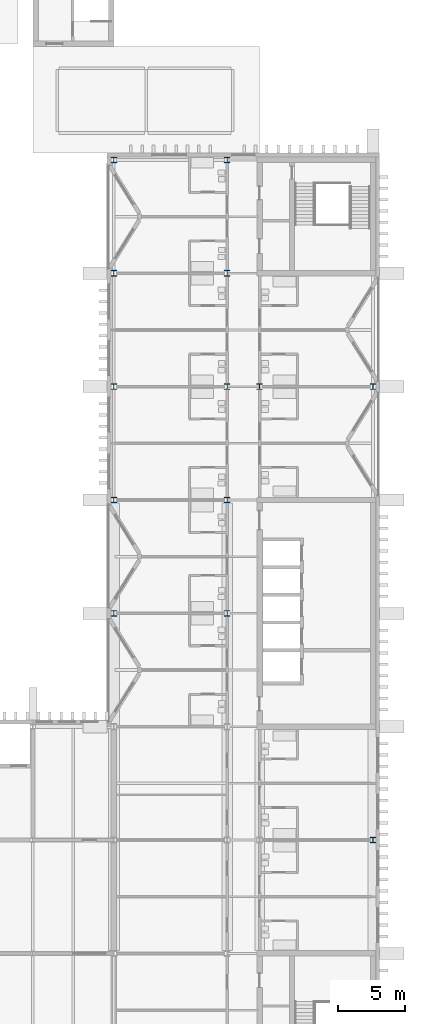
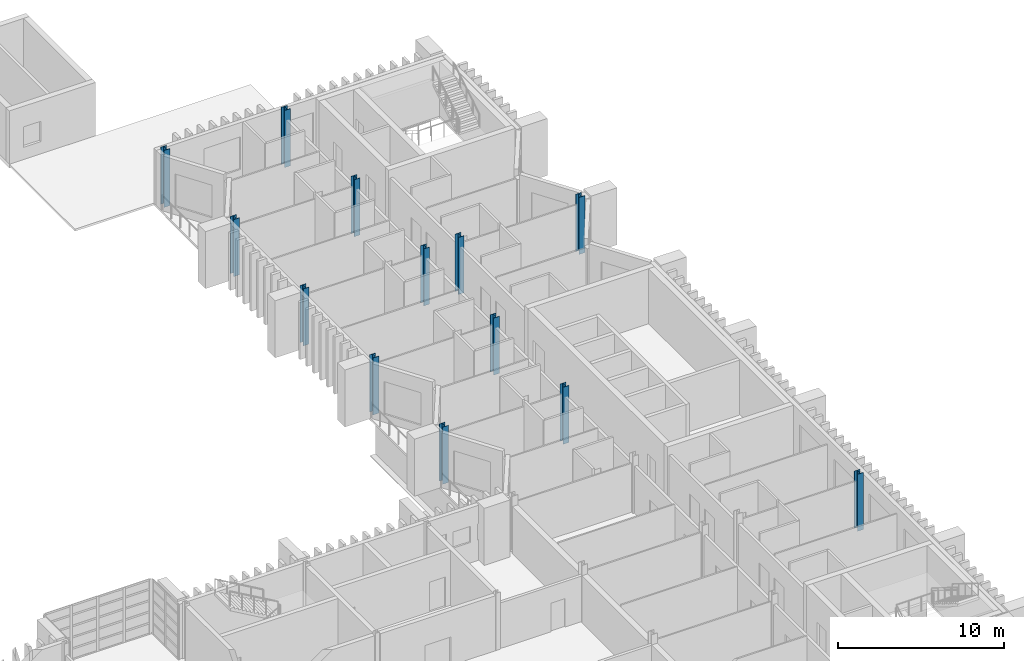
# One storey, part 10 of 100: 13 columns.
"""IFC4 building model written with IfcOpenShell, lengths in metres."""

from ifc_helpers import new_model, si_unit, direction, frame, origin, origin_2d, place, context, subcontext, project, spatial, i_section, extrude, material, material_profile, profile_set, type_object, element, save


model = new_model("IFC4")

# Units and contexts
model_context = context("Model", 3, precision=1e-05, world=origin(), true_north=direction((0.0, 1.0)))
body_context = subcontext(model_context, "Body", "Model", "MODEL_VIEW")
ifc_project = project(units=[si_unit("LENGTHUNIT", "METRE"), si_unit("AREAUNIT", "SQUARE_METRE"), si_unit("VOLUMEUNIT", "CUBIC_METRE"), si_unit("PLANEANGLEUNIT", "RADIAN"), si_unit("MASSUNIT", "GRAM", prefix="KILO")], contexts=[model_context])

# Site, building, storey
site_placement = place(None, origin())
site = spatial("IfcSite", under=ifc_project, at=site_placement, CompositionType="ELEMENT")
building_placement = place(site_placement, origin())
building = spatial("IfcBuilding", under=site, at=building_placement, Name="Cresset Court Congress Hotel", CompositionType="ELEMENT")
storey_placement = place(building_placement, frame((0.0, 0.0, 10.199951171875)))
storey = spatial("IfcBuildingStorey", under=building, at=storey_placement, Name="L02", CompositionType="ELEMENT", Elevation=10.199951171875)

# Columns
ifc_material = material(Name="Structural steel Q355B", Category="steel")
ifc_material_profile = material_profile(ifc_material, i_section(OverallWidth=0.405029296875, OverallDepth=0.4140625, WebThickness=0.01806640625, FlangeThickness=0.028076171875, FilletRadius=0.02197265625, at=origin_2d()), Name="HW414x405x18x28")
ifc_profile_set = profile_set([ifc_material_profile], Name="Structural steel Q355B")
column_type = type_object("IfcColumnType", Name="Steel column HW414x405x18x28", PredefinedType="COLUMN", material=ifc_profile_set)
for number, where, z_axis, x_axis, name in (
    (1, (157.199951171875, 33.60009765625, 0.0), (0.0, 0.0, 1.0), (1.0, 0.0, 0.0), "Column L02 5-20"),
    (2, (157.199951171875, 42.0, 0.0), (0.0, 0.0, 1.0), (1.0, 0.0, 0.0), "Column L02 6-20"),
    (3, (157.199951171875, 50.39990234375, 0.0), (0.0, 0.0, 1.0), (1.0, 0.0, 0.0), "Column L02 7-20"),
    (4, (157.199951171875, 58.800048828125, 0.0), (0.0, 0.0, 1.0), (1.0, 0.0, 0.0), "Column L02 8-20"),
    (5, (157.199951171875, 67.199951171875, 0.0), (0.0, 0.0, 1.0), (1.0, 0.0, 0.0), "Column L02 9-20"),
    (6, (165.60009765625, 33.60009765625, 0.0), (0.0, 0.0, 1.0), (1.0, 0.0, 0.0), "Column L02 5-21"),
    (7, (165.60009765625, 42.0, 0.0), (0.0, 0.0, 1.0), (1.0, 0.0, 0.0), "Column L02 6-21"),
    (8, (165.60009765625, 50.39990234375, 0.0), (0.0, 0.0, 1.0), (1.0, 0.0, 0.0), "Column L02 7-21"),
    (9, (165.60009765625, 58.800048828125, 0.0), (0.0, 0.0, 1.0), (1.0, 0.0, 0.0), "Column L02 8-21"),
    (10, (165.60009765625, 67.199951171875, 0.0), (0.0, 0.0, 1.0), (1.0, 0.0, 0.0), "Column L02 9-21"),
    (11, (168.0, 50.39990234375, 0.0), (0.0, 0.0, 1.0), (1.0, 0.0, 0.0), "Column L02 7-22"),
    (12, (176.39990234375, 16.800048828125, 0.0), (0.0, 0.0, 1.0), (1.0, 0.0, 0.0), "Column L02 3-23"),
    (13, (176.39990234375, 50.39990234375, 0.0), (0.0, 0.0, 1.0), (1.0, 0.0, 0.0), "Column L02 7-23"),
):
    element("IfcColumn", number, at=place(storey_placement, frame(where, z_axis=z_axis, x_axis=x_axis)), inside=storey, type_object=column_type, Name=name, PredefinedType="COLUMN", context=body_context, shape_type="SweptSolid", body=[
        extrude(i_section(OverallWidth=0.405029296875, OverallDepth=0.4140625, WebThickness=0.01806640625, FlangeThickness=0.028076171875, FilletRadius=0.02197265625, at=origin_2d()), origin(), (0.0, 0.0, 1.0), 4.199951171875),
    ])

save(model, "model.ifc")
